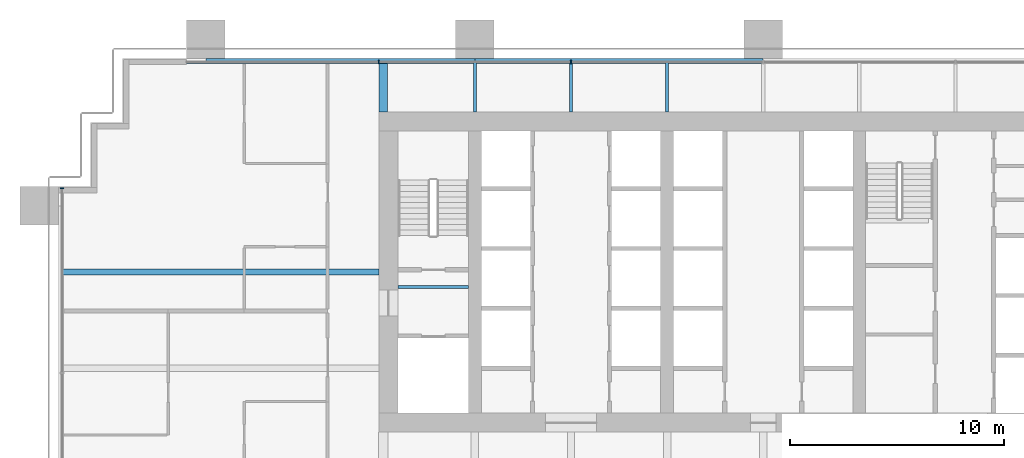
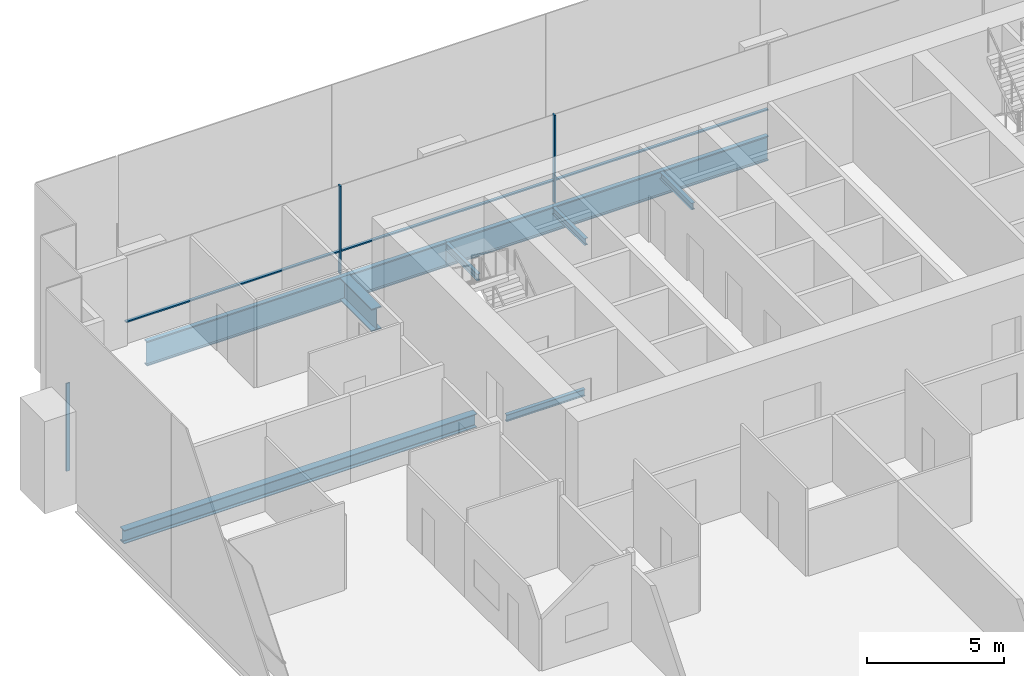
# One storey, part 7 of 18: 8 beams, 6 members, 2 elements without a shape of their own.
"""IFC4 building model written with IfcOpenShell, lengths in metres."""

from ifc_helpers import new_model, si_unit, direction, frame, origin, origin_2d, place, context, subcontext, project, spatial, rectangle, i_section, extrude, material, material_profile, profile_set, type_object, element, aggregate, save


model = new_model("IFC4")

# Units and contexts
model_context = context("Model", 3, precision=1e-05, world=origin(), true_north=direction((0.0, 1.0)))
body_context = subcontext(model_context, "Body", "Model", "MODEL_VIEW")
ifc_project = project(units=[si_unit("LENGTHUNIT", "METRE"), si_unit("AREAUNIT", "SQUARE_METRE"), si_unit("VOLUMEUNIT", "CUBIC_METRE"), si_unit("PLANEANGLEUNIT", "RADIAN"), si_unit("MASSUNIT", "GRAM", prefix="KILO")], contexts=[model_context])

# Site, building, storey
site_placement = place(None, origin())
site = spatial("IfcSite", under=ifc_project, at=site_placement, CompositionType="ELEMENT")
building_placement = place(site_placement, origin())
building = spatial("IfcBuilding", under=site, at=building_placement, Name="Rattan Terrace Tower", CompositionType="ELEMENT")
storey_placement = place(building_placement, frame((0.0, 0.0, 32.39990234375)))
storey = spatial("IfcBuildingStorey", under=building, at=storey_placement, Name="L06", CompositionType="ELEMENT", Elevation=32.39990234375)

# Curtain wall, members
ifc_material_1 = material(Name="Aluminium and glass", Category="aluminium")
curtain_wall_type = type_object("IfcCurtainWallType", Name="Facade Unitised Curtain Wall", PredefinedType="NOTDEFINED", material=ifc_material_1)
curtain_wall_1_placement = place(storey_placement, origin())
curtain_wall_1 = element("IfcCurtainWall", 1, at=curtain_wall_1_placement, inside=storey, type_object=curtain_wall_type, Name="Curtain wall L06-2", PredefinedType="NOTDEFINED")
ifc_material_2 = material(Name="Aluminium", Category="aluminium")
ifc_material_profile_1 = material_profile(ifc_material_2, rectangle(XDim=0.06005859375, YDim=0.159912109375, at=origin_2d()), Name="Aluminium 60x160")
ifc_profile_set_1 = profile_set([ifc_material_profile_1], Name="Aluminium")
member_type_1 = type_object("IfcMemberType", Name="Facade CW Mullion 60x160", PredefinedType="MULLION", material=ifc_profile_set_1)
member_1_placement = place(storey_placement, frame((-9.0, 9.830078125, 0.0), z_axis=(0.0, 0.0, 1.0), x_axis=(-1.0, 0.0, 0.0)))
member_1 = element("IfcMember", 2, at=member_1_placement, type_object=member_type_1, Name="Mullion cwl-L06-002.5", PredefinedType="MULLION", context=body_context, shape_type="SweptSolid", body=[
    extrude(rectangle(XDim=0.06005859375, YDim=0.159912109375, at=origin_2d()), origin(), (0.0, 0.0, 1.0), 3.900146484375),
])
member_2_placement = place(storey_placement, frame((-18.0, 9.830078125, 0.0), z_axis=(0.0, 0.0, 1.0), x_axis=(-1.0, 0.0, 0.0)))
member_2 = element("IfcMember", 3, at=member_2_placement, type_object=member_type_1, Name="Mullion cwl-L06-002.6", PredefinedType="MULLION", context=body_context, shape_type="SweptSolid", body=[
    extrude(rectangle(XDim=0.06005859375, YDim=0.159912109375, at=origin_2d()), origin(), (0.0, 0.0, 1.0), 3.900146484375),
])

# Curtain wall, member
curtain_wall_2_placement = place(storey_placement, origin())
curtain_wall_2 = element("IfcCurtainWall", 4, at=curtain_wall_2_placement, inside=storey, type_object=curtain_wall_type, Name="Curtain wall L06-3", PredefinedType="NOTDEFINED")
member_3_placement = place(storey_placement, frame((-32.830078125, 3.925048828125, 0.0), z_axis=(0.0, 0.0, 1.0), x_axis=(0.0, -1.0, 0.0)))
member_3 = element("IfcMember", 5, at=member_3_placement, type_object=member_type_1, Name="Mullion cwl-L06-003.1", PredefinedType="MULLION", context=body_context, shape_type="SweptSolid", body=[
    extrude(rectangle(XDim=0.06005859375, YDim=0.159912109375, at=origin_2d()), origin(), (0.0, 0.0, 1.0), 3.900146484375),
])
aggregate(curtain_wall_2, [member_3])

# Member
ifc_material_3 = material(Name="Aluminium", Category="aluminium")
ifc_material_profile_2 = material_profile(ifc_material_3, rectangle(XDim=0.1201171875, YDim=0.06005859375, at=origin_2d()), Name="Aluminium 120x60")
ifc_profile_set_2 = profile_set([ifc_material_profile_2], Name="Aluminium")
member_type_2 = type_object("IfcMemberType", Name="Facade CW Transom 120x60", PredefinedType="USERDEFINED", material=ifc_profile_set_2)
member_4_placement = place(storey_placement, frame((-0.030029296875, 9.830078125, 1.0), z_axis=(-1.0, 0.0, 0.0), x_axis=(0.0, -1.0, 0.0)))
member_4 = element("IfcMember", 6, at=member_4_placement, type_object=member_type_2, Name="Transom cwl-L06-002.4", ObjectType="TRANSOM", PredefinedType="USERDEFINED", context=body_context, shape_type="SweptSolid", body=[
    extrude(rectangle(XDim=0.1201171875, YDim=0.06005859375, at=origin_2d()), origin(), (0.0, 0.0, 1.0), 8.93994140625),
])

member_5_placement = place(storey_placement, frame((-9.030029296875, 9.830078125, 1.0), z_axis=(-1.0, 0.0, 0.0), x_axis=(0.0, -1.0, 0.0)))
member_5 = element("IfcMember", 7, at=member_5_placement, type_object=member_type_2, Name="Transom cwl-L06-002.5", ObjectType="TRANSOM", PredefinedType="USERDEFINED", context=body_context, shape_type="SweptSolid", body=[
    extrude(rectangle(XDim=0.1201171875, YDim=0.06005859375, at=origin_2d()), origin(), (0.0, 0.0, 1.0), 8.93994140625),
])

member_6_placement = place(storey_placement, frame((-18.030029296875, 9.830078125, 1.0), z_axis=(-1.0, 0.0, 0.0), x_axis=(0.0, -1.0, 0.0)))
member_6 = element("IfcMember", 8, at=member_6_placement, type_object=member_type_2, Name="Transom cwl-L06-002.6", ObjectType="TRANSOM", PredefinedType="USERDEFINED", context=body_context, shape_type="SweptSolid", body=[
    extrude(rectangle(XDim=0.1201171875, YDim=0.06005859375, at=origin_2d()), origin(), (0.0, 0.0, 1.0), 8.969970703125),
])

aggregate(curtain_wall_1, [member_1, member_2, member_4, member_5, member_6])

# Beams
ifc_material_4 = material(Name="Steel S460", Category="steel")
ifc_material_profile_3 = material_profile(ifc_material_4, i_section(OverallWidth=0.39990234375, OverallDepth=1.0, WebThickness=0.01806640625, FlangeThickness=0.044921875, at=origin_2d()), Name="PG 1000x400-18-45")
ifc_profile_set_3 = profile_set([ifc_material_profile_3], Name="Steel S460")
beam_type_1 = type_object("IfcBeamType", Name="Frame core girder PG 1000x400-18-45", PredefinedType="BEAM", material=ifc_profile_set_3)
beam_1_placement = place(storey_placement, frame((-17.800048828125, 7.5, -0.699951171875), z_axis=(0.0, 1.0, 0.0), x_axis=(-1.0, 0.0, 0.0)))
element("IfcBeam", 9, at=beam_1_placement, inside=storey, type_object=beam_type_1, Name="gdr-L06-015", PredefinedType="BEAM", context=body_context, shape_type="SweptSolid", body=[
    extrude(i_section(OverallWidth=0.39990234375, OverallDepth=1.0, WebThickness=0.01806640625, FlangeThickness=0.044921875, at=origin_2d()), origin(), (0.0, 0.0, 1.0), 2.320068359375),
])
ifc_material_5 = material(Name="Steel S460", Category="steel")
ifc_material_profile_4 = material_profile(ifc_material_5, i_section(OverallWidth=0.179931640625, OverallDepth=1.10009765625, WebThickness=0.01611328125, FlangeThickness=0.050048828125, at=origin_2d()), Name="PG 1100x180-16-50")
ifc_profile_set_4 = profile_set([ifc_material_profile_4], Name="Steel S460")
beam_type_2 = type_object("IfcBeamType", Name="Frame edge girder PG 1100x180-16-50", PredefinedType="SPANDREL", material=ifc_profile_set_4)
beam_2_placement = place(storey_placement, frame((-13.5, 9.909912109375, -0.75), z_axis=(-1.0, 0.0, 0.0), x_axis=(0.0, -1.0, 0.0)))
element("IfcBeam", 10, at=beam_2_placement, inside=storey, type_object=beam_type_2, Name="gdr-L06-009", PredefinedType="SPANDREL", context=body_context, shape_type="SweptSolid", body=[
    extrude(i_section(OverallWidth=0.179931640625, OverallDepth=1.10009765625, WebThickness=0.01611328125, FlangeThickness=0.050048828125, at=origin_2d()), origin(), (0.0, 0.0, 1.0), 12.60009765625),
])
beam_3_placement = place(storey_placement, frame((0.0, 9.909912109375, -0.75), z_axis=(-1.0, 0.0, 0.0), x_axis=(0.0, -1.0, 0.0)))
element("IfcBeam", 11, at=beam_3_placement, inside=storey, type_object=beam_type_2, Name="gdr-L06-010", PredefinedType="SPANDREL", context=body_context, shape_type="SweptSolid", body=[
    extrude(i_section(OverallWidth=0.179931640625, OverallDepth=1.10009765625, WebThickness=0.01611328125, FlangeThickness=0.050048828125, at=origin_2d()), origin(), (0.0, 0.0, 1.0), 13.5),
])
ifc_material_6 = material(Name="Steel S355", Category="steel")
ifc_material_profile_5 = material_profile(ifc_material_6, i_section(OverallWidth=0.300048828125, OverallDepth=0.60009765625, WebThickness=0.015380859375, FlangeThickness=0.030029296875, FilletRadius=0.027099609375, at=origin_2d()), Name="HE 600 B")
ifc_profile_set_5 = profile_set([ifc_material_profile_5], Name="Steel S355")
beam_type_3 = type_object("IfcBeamType", Name="Frame floor beam HE 600 B", PredefinedType="JOIST", material=ifc_profile_set_5)
beam_4_placement = place(storey_placement, frame((-32.820068359375, 0.0, -0.5), z_axis=(1.0, 0.0, 0.0), x_axis=(0.0, 1.0, 0.0)))
element("IfcBeam", 12, at=beam_4_placement, inside=storey, type_object=beam_type_3, Name="bm-L06-022", PredefinedType="JOIST", context=body_context, shape_type="SweptSolid", body=[
    extrude(i_section(OverallWidth=0.300048828125, OverallDepth=0.60009765625, WebThickness=0.015380859375, FlangeThickness=0.030029296875, FilletRadius=0.027099609375, at=origin_2d()), origin(), (0.0, 0.0, 1.0), 14.820068359375),
])
ifc_material_7 = material(Name="Steel S355", Category="steel")
ifc_material_profile_6 = material_profile(ifc_material_7, i_section(OverallWidth=0.14990234375, OverallDepth=0.300048828125, WebThickness=0.007080078125, FlangeThickness=0.0107421875, FilletRadius=0.014892578125, at=origin_2d()), Name="IPE 300")
ifc_profile_set_6 = profile_set([ifc_material_profile_6], Name="Steel S355")
beam_type_4 = type_object("IfcBeamType", Name="Frame floor beam IPE 300", PredefinedType="JOIST", material=ifc_profile_set_6)
beam_5_placement = place(storey_placement, frame((-17.10009765625, -0.695068359375, -0.349853515625), z_axis=(1.0, 0.0, 0.0), x_axis=(0.0, 1.0, 0.0)))
element("IfcBeam", 13, at=beam_5_placement, inside=storey, type_object=beam_type_4, Name="bm-L06-001", PredefinedType="JOIST", context=body_context, shape_type="SweptSolid", body=[
    extrude(i_section(OverallWidth=0.14990234375, OverallDepth=0.300048828125, WebThickness=0.007080078125, FlangeThickness=0.0107421875, FilletRadius=0.014892578125, at=origin_2d()), origin(), (0.0, 0.0, 1.0), 3.300048828125),
])
for number, where, z_axis, x_axis, name in (
    (14, (-13.5, 7.5, -0.349853515625), (0.0, 1.0, 0.0), (-1.0, 0.0, 0.0), "bm-L06-024"),
    (15, (-9.0, 7.5, -0.349853515625), (0.0, 1.0, 0.0), (-1.0, 0.0, 0.0), "bm-L06-025"),
    (16, (-4.5, 7.5, -0.349853515625), (0.0, 1.0, 0.0), (-1.0, 0.0, 0.0), "bm-L06-026"),
):
    element("IfcBeam", number, at=place(storey_placement, frame(where, z_axis=z_axis, x_axis=x_axis)), inside=storey, type_object=beam_type_4, Name=name, PredefinedType="JOIST", context=body_context, shape_type="SweptSolid", body=[
        extrude(i_section(OverallWidth=0.14990234375, OverallDepth=0.300048828125, WebThickness=0.007080078125, FlangeThickness=0.0107421875, FilletRadius=0.014892578125, at=origin_2d()), origin(), (0.0, 0.0, 1.0), 2.320068359375),
    ])

save(model, "model.ifc")
